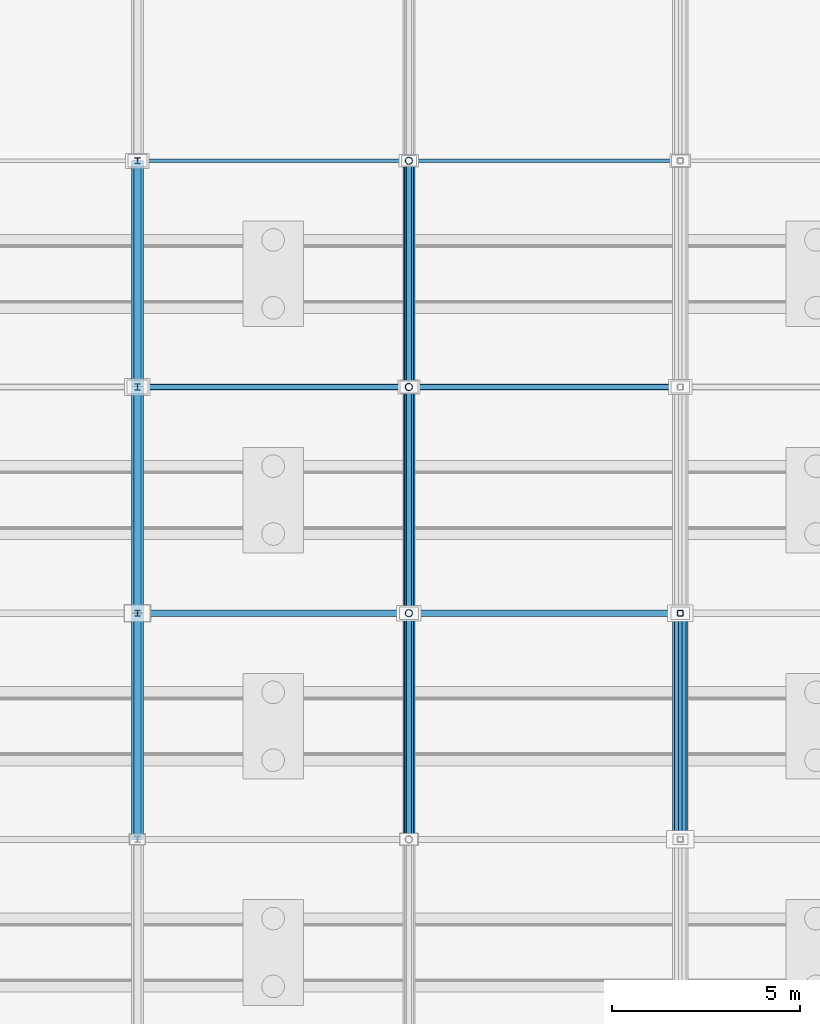
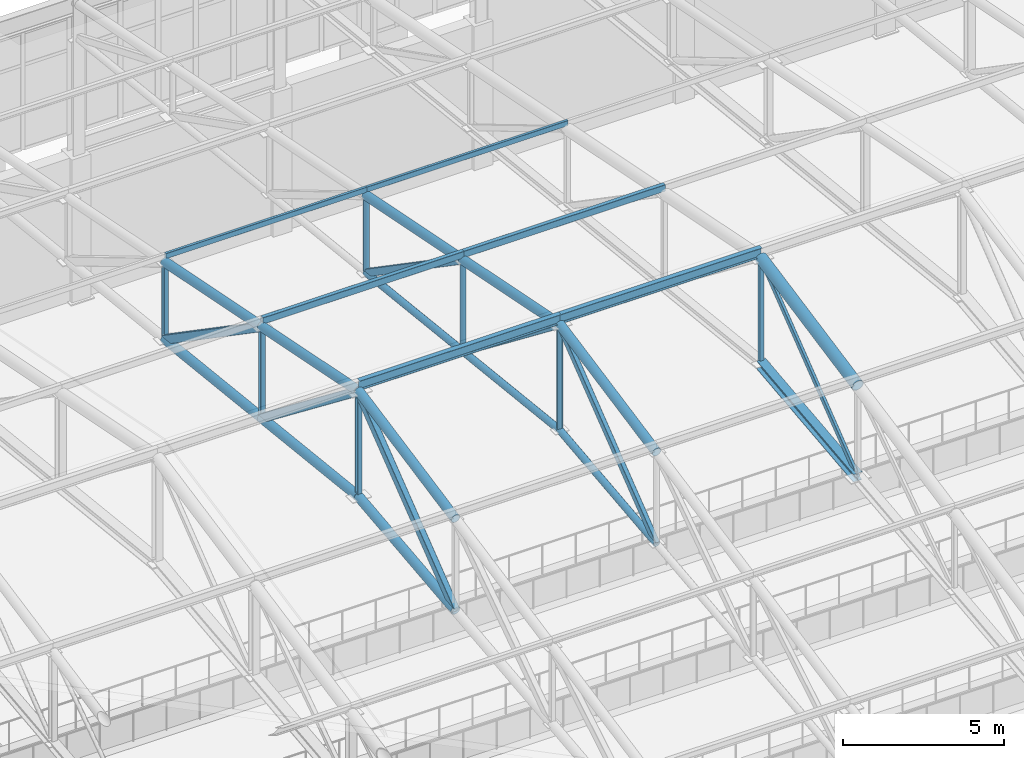
# One storey, part 142 of 293: 34 members.
"""IFC4 building model written with IfcOpenShell, lengths in metres."""

from ifc_helpers import new_model, si_unit, direction, frame, origin, origin_2d, place, context, subcontext, project, spatial, hollow_rectangle, hollow_circle, i_section, extrude, material, material_profile, profile_set, type_object, element, save


model = new_model("IFC4")

# Units and contexts
model_context = context("Model", 3, precision=1e-05, world=origin(), true_north=direction((0.0, 1.0)))
body_context = subcontext(model_context, "Body", "Model", "MODEL_VIEW")
ifc_project = project(units=[si_unit("LENGTHUNIT", "METRE"), si_unit("AREAUNIT", "SQUARE_METRE"), si_unit("VOLUMEUNIT", "CUBIC_METRE"), si_unit("PLANEANGLEUNIT", "RADIAN"), si_unit("MASSUNIT", "GRAM", prefix="KILO")], contexts=[model_context])

# Site, building, storey
site_placement = place(None, origin())
site = spatial("IfcSite", under=ifc_project, at=site_placement, CompositionType="ELEMENT")
building_placement = place(site_placement, origin())
building = spatial("IfcBuilding", under=site, at=building_placement, Name="Kemerveld Promenade Tramway Depot", CompositionType="ELEMENT")
storey_placement = place(building_placement, origin())
storey = spatial("IfcBuildingStorey", under=building, at=storey_placement, Name="L00", CompositionType="ELEMENT", Elevation=0.0)

# Members
ifc_material = material(Name="Steel S355", Category="steel")
ifc_material_profile_1 = material_profile(ifc_material, hollow_rectangle(XDim=0.199951171875, YDim=0.300048828125, WallThickness=0.012451171875, InnerFilletRadius=0.00634765625, OuterFilletRadius=0.018798828125, at=origin_2d()), Name="300x200x12.5 RHS")
ifc_profile_set_1 = profile_set([ifc_material_profile_1], Name="Steel S355")
member_type_1 = type_object("IfcMemberType", Name="MB-M01", PredefinedType="BRACE", material=ifc_profile_set_1)
for number, where, z_axis, x_axis, name in (
    (1, (64.800048828125, 108.0, 12.43994140625), (0.0, 0.789767329101, 0.613406525793), (-1.0, 0.0, 0.0), "TR-10-DG-05"),
    (2, (64.800048828125, 120.0, 12.43994140625), (0.0, -0.789767329101, 0.613406525793), (1.0, 0.0, 0.0), "TR-10-DG-06"),
):
    element("IfcMember", number, at=place(storey_placement, frame(where, z_axis=z_axis, x_axis=x_axis)), inside=storey, type_object=member_type_1, Name=name, PredefinedType="BRACE", context=body_context, shape_type="SweptSolid", body=[
        extrude(hollow_rectangle(XDim=0.199951171875, YDim=0.300048828125, WallThickness=0.012451171875, InnerFilletRadius=0.00634765625, OuterFilletRadius=0.018798828125, at=origin_2d()), origin(), (0.0, 0.0, 1.0), 7.59716796875),
    ])
member_1_placement = place(storey_placement, frame((64.800048828125, 126.0, 11.780029296875), z_axis=(0.0, -0.824370638462, 0.566050395673), x_axis=(1.0, 0.0, 0.0)))
element("IfcMember", 3, at=member_1_placement, inside=storey, type_object=member_type_1, Name="TR-10-DG-07", PredefinedType="BRACE", context=body_context, shape_type="SweptSolid", body=[
    extrude(hollow_rectangle(XDim=0.199951171875, YDim=0.300048828125, WallThickness=0.012451171875, InnerFilletRadius=0.00634765625, OuterFilletRadius=0.018798828125, at=origin_2d()), origin(), (0.0, 0.0, 1.0), 7.2783203125),
])
ifc_material_profile_2 = material_profile(ifc_material, hollow_rectangle(XDim=0.14990234375, YDim=0.25, WallThickness=0.010009765625, InnerFilletRadius=0.0048828125, OuterFilletRadius=0.014892578125, at=origin_2d()), Name="250x150x10.0 RHS")
ifc_profile_set_2 = profile_set([ifc_material_profile_2], Name="Steel S355")
member_type_2 = type_object("IfcMemberType", Name="MB-M02", PredefinedType="BRACE", material=ifc_profile_set_2)
for number, where, z_axis, x_axis, name in (
    (4, (72.0, 108.0, 12.43994140625), (0.0, 0.789767329101, 0.613406525793), (-1.0, 0.0, 0.0), "TR-11-DG-05"),
    (5, (72.0, 120.0, 12.43994140625), (0.0, -0.789767329101, 0.613406525793), (1.0, 0.0, 0.0), "TR-11-DG-06"),
):
    element("IfcMember", number, at=place(storey_placement, frame(where, z_axis=z_axis, x_axis=x_axis)), inside=storey, type_object=member_type_2, Name=name, PredefinedType="BRACE", context=body_context, shape_type="SweptSolid", body=[
        extrude(hollow_rectangle(XDim=0.14990234375, YDim=0.25, WallThickness=0.010009765625, InnerFilletRadius=0.0048828125, OuterFilletRadius=0.014892578125, at=origin_2d()), origin(), (0.0, 0.0, 1.0), 7.59716796875),
    ])
member_2_placement = place(storey_placement, frame((72.0, 126.0, 11.780029296875), z_axis=(0.0, -0.824370638462, 0.566050395673), x_axis=(1.0, 0.0, 0.0)))
element("IfcMember", 6, at=member_2_placement, inside=storey, type_object=member_type_2, Name="TR-11-DG-07", PredefinedType="BRACE", context=body_context, shape_type="SweptSolid", body=[
    extrude(hollow_rectangle(XDim=0.14990234375, YDim=0.25, WallThickness=0.010009765625, InnerFilletRadius=0.0048828125, OuterFilletRadius=0.014892578125, at=origin_2d()), origin(), (0.0, 0.0, 1.0), 7.2783203125),
])
ifc_material_profile_3 = material_profile(ifc_material, hollow_rectangle(XDim=0.10009765625, YDim=0.199951171875, WallThickness=0.008056640625, InnerFilletRadius=0.00390625, OuterFilletRadius=0.011962890625, at=origin_2d()), Name="200x100x8.0 RHS")
ifc_profile_set_3 = profile_set([ifc_material_profile_3], Name="Steel S355")
member_type_3 = type_object("IfcMemberType", Name="MB-M03", PredefinedType="BRACE", material=ifc_profile_set_3)
member_3_placement = place(storey_placement, frame((79.199951171875, 108.0, 12.43994140625), z_axis=(0.0, 0.789767329101, 0.613406525793), x_axis=(-1.0, 0.0, 0.0)))
element("IfcMember", 7, at=member_3_placement, inside=storey, type_object=member_type_3, Name="TR-12-DG-05", PredefinedType="BRACE", context=body_context, shape_type="SweptSolid", body=[
    extrude(hollow_rectangle(XDim=0.10009765625, YDim=0.199951171875, WallThickness=0.008056640625, InnerFilletRadius=0.00390625, OuterFilletRadius=0.011962890625, at=origin_2d()), origin(), (0.0, 0.0, 1.0), 7.59716796875),
])
ifc_material_profile_4 = material_profile(ifc_material, i_section(OverallWidth=0.154296875, OverallDepth=0.161865234375, WebThickness=0.008056640625, FlangeThickness=0.011474609375, FilletRadius=0.007568359375, at=origin_2d()), Name="152x152x37 UC")
ifc_profile_set_4 = profile_set([ifc_material_profile_4], Name="Steel S355")
member_type_4 = type_object("IfcMemberType", Name="MB-M05", PredefinedType="POST", material=ifc_profile_set_4)
member_4_placement = place(storey_placement, frame((64.800048828125, 114.0, 13.10009765625), z_axis=(0.0, 0.0, 1.0), x_axis=(1.0, 0.0, 0.0)))
element("IfcMember", 8, at=member_4_placement, inside=storey, type_object=member_type_4, Name="TR-10-VT-05", PredefinedType="POST", context=body_context, shape_type="SweptSolid", body=[
    extrude(i_section(OverallWidth=0.154296875, OverallDepth=0.161865234375, WebThickness=0.008056640625, FlangeThickness=0.011474609375, FilletRadius=0.007568359375, at=origin_2d()), origin(), (0.0, 0.0, 1.0), 4.0),
])
member_5_placement = place(storey_placement, frame((64.800048828125, 120.0, 12.43994140625), z_axis=(0.0, 0.0, 1.0), x_axis=(1.0, 0.0, 0.0)))
element("IfcMember", 9, at=member_5_placement, inside=storey, type_object=member_type_4, Name="TR-10-VT-06", PredefinedType="POST", context=body_context, shape_type="SweptSolid", body=[
    extrude(i_section(OverallWidth=0.154296875, OverallDepth=0.161865234375, WebThickness=0.008056640625, FlangeThickness=0.011474609375, FilletRadius=0.007568359375, at=origin_2d()), origin(), (0.0, 0.0, 1.0), 3.4599609375),
])
member_6_placement = place(storey_placement, frame((64.800048828125, 126.0, 11.780029296875), z_axis=(0.0, 0.0, 1.0), x_axis=(1.0, 0.0, 0.0)))
element("IfcMember", 10, at=member_6_placement, inside=storey, type_object=member_type_4, Name="TR-10-VT-07", PredefinedType="POST", context=body_context, shape_type="SweptSolid", body=[
    extrude(i_section(OverallWidth=0.154296875, OverallDepth=0.161865234375, WebThickness=0.008056640625, FlangeThickness=0.011474609375, FilletRadius=0.007568359375, at=origin_2d()), origin(), (0.0, 0.0, 1.0), 2.919921875),
])
ifc_material_profile_5 = material_profile(ifc_material, i_section(OverallWidth=0.172119140625, OverallDepth=0.35791015625, WebThickness=0.008056640625, FlangeThickness=0.012939453125, FilletRadius=0.01025390625, at=origin_2d()), Name="356x171x57 UB")
ifc_profile_set_5 = profile_set([ifc_material_profile_5], Name="Steel S355")
member_type_5 = type_object("IfcMemberType", Name="MB-M07", PredefinedType="PURLIN", material=ifc_profile_set_5)
for number, where, z_axis, x_axis, name in (
    (11, (64.800048828125, 114.0, 17.344970703125), (1.0, 0.0, 0.0), (0.0, 1.0, 0.0), "PUR-V1-05-10"),
    (12, (72.0, 114.0, 17.344970703125), (1.0, 0.0, 0.0), (0.0, 1.0, 0.0), "PUR-V1-05-11"),
):
    element("IfcMember", number, at=place(storey_placement, frame(where, z_axis=z_axis, x_axis=x_axis)), inside=storey, type_object=member_type_5, Name=name, PredefinedType="PURLIN", context=body_context, shape_type="SweptSolid", body=[
        extrude(i_section(OverallWidth=0.172119140625, OverallDepth=0.35791015625, WebThickness=0.008056640625, FlangeThickness=0.012939453125, FilletRadius=0.01025390625, at=origin_2d()), origin(), (0.0, 0.0, 1.0), 7.199951171875),
    ])
ifc_material_profile_6 = material_profile(ifc_material, hollow_rectangle(XDim=0.14990234375, YDim=0.25, WallThickness=0.010009765625, InnerFilletRadius=0.0048828125, OuterFilletRadius=0.014892578125, at=origin_2d()), Name="250x150x10.0 RHS")
ifc_profile_set_6 = profile_set([ifc_material_profile_6], Name="Steel S355")
member_type_6 = type_object("IfcMemberType", Name="MB-PR1", PredefinedType="PURLIN", material=ifc_profile_set_6)
for number, where, z_axis, x_axis, name in (
    (13, (64.800048828125, 120.0, 16.14501953125), (1.0, 0.0, 0.0), (0.0, 1.0, 0.0), "PUR-V1-06-10"),
    (14, (72.0, 120.0, 16.14501953125), (1.0, 0.0, 0.0), (0.0, 1.0, 0.0), "PUR-V1-06-11"),
):
    element("IfcMember", number, at=place(storey_placement, frame(where, z_axis=z_axis, x_axis=x_axis)), inside=storey, type_object=member_type_6, Name=name, PredefinedType="PURLIN", context=body_context, shape_type="SweptSolid", body=[
        extrude(hollow_rectangle(XDim=0.14990234375, YDim=0.25, WallThickness=0.010009765625, InnerFilletRadius=0.0048828125, OuterFilletRadius=0.014892578125, at=origin_2d()), origin(), (0.0, 0.0, 1.0), 7.199951171875),
    ])
ifc_material_profile_7 = material_profile(ifc_material, hollow_rectangle(XDim=0.10009765625, YDim=0.199951171875, WallThickness=0.008056640625, InnerFilletRadius=0.00390625, OuterFilletRadius=0.011962890625, at=origin_2d()), Name="200x100x8.0 RHS")
ifc_profile_set_7 = profile_set([ifc_material_profile_7], Name="Steel S355")
member_type_7 = type_object("IfcMemberType", Name="MB-PR2", PredefinedType="PURLIN", material=ifc_profile_set_7)
for number, where, z_axis, x_axis, name in (
    (15, (64.800048828125, 126.0, 14.945068359375), (1.0, 0.0, 0.0), (0.0, 1.0, 0.0), "PUR-V1-07-10"),
    (16, (72.0, 126.0, 14.945068359375), (1.0, 0.0, 0.0), (0.0, 1.0, 0.0), "PUR-V1-07-11"),
):
    element("IfcMember", number, at=place(storey_placement, frame(where, z_axis=z_axis, x_axis=x_axis)), inside=storey, type_object=member_type_7, Name=name, PredefinedType="PURLIN", context=body_context, shape_type="SweptSolid", body=[
        extrude(hollow_rectangle(XDim=0.10009765625, YDim=0.199951171875, WallThickness=0.008056640625, InnerFilletRadius=0.00390625, OuterFilletRadius=0.011962890625, at=origin_2d()), origin(), (0.0, 0.0, 1.0), 7.199951171875),
    ])
ifc_material_profile_8 = material_profile(ifc_material, hollow_circle(Radius=0.203125, WallThickness=0.01611328125, at=origin_2d()), Name="406.4x16.0 CHS")
ifc_profile_set_8 = profile_set([ifc_material_profile_8], Name="Steel S355")
member_type_8 = type_object("IfcMemberType", Name="MB-TC1", PredefinedType="CHORD", material=ifc_profile_set_8)
member_7_placement = place(storey_placement, frame((79.199951171875, 108.0, 15.89990234375), z_axis=(0.0, 0.980574536798, 0.196146827104), x_axis=(-1.0, 0.0, 0.0)))
element("IfcMember", 17, at=member_7_placement, inside=storey, type_object=member_type_8, Name="TR-12-TC-05", PredefinedType="CHORD", context=body_context, shape_type="SweptSolid", body=[
    extrude(hollow_circle(Radius=0.203125, WallThickness=0.01611328125, at=origin_2d()), origin(), (0.0, 0.0, 1.0), 6.118896484375),
])
ifc_material_profile_9 = material_profile(ifc_material, hollow_circle(Radius=0.161865234375, WallThickness=0.012451171875, at=origin_2d()), Name="323.9x12.5 CHS")
ifc_profile_set_9 = profile_set([ifc_material_profile_9], Name="Steel S355")
member_type_9 = type_object("IfcMemberType", Name="MB-TC2", PredefinedType="CHORD", material=ifc_profile_set_9)
member_8_placement = place(storey_placement, frame((64.800048828125, 108.0, 15.89990234375), z_axis=(0.0, 0.980574536798, 0.196146827104), x_axis=(-1.0, 0.0, 0.0)))
element("IfcMember", 18, at=member_8_placement, inside=storey, type_object=member_type_9, Name="TR-10-TC-05", PredefinedType="CHORD", context=body_context, shape_type="SweptSolid", body=[
    extrude(hollow_circle(Radius=0.161865234375, WallThickness=0.012451171875, at=origin_2d()), origin(), (0.0, 0.0, 1.0), 6.118896484375),
])
member_9_placement = place(storey_placement, frame((64.800048828125, 108.0, 12.43994140625), z_axis=(0.0, 0.994001542248, 0.109366055104), x_axis=(-1.0, 0.0, 0.0)))
element("IfcMember", 19, at=member_9_placement, inside=storey, type_object=member_type_9, Name="TR-10-BC-05", PredefinedType="CHORD", context=body_context, shape_type="SweptSolid", body=[
    extrude(hollow_circle(Radius=0.161865234375, WallThickness=0.012451171875, at=origin_2d()), origin(), (0.0, 0.0, 1.0), 6.0361328125),
])
member_10_placement = place(storey_placement, frame((64.800048828125, 114.0, 17.10009765625), z_axis=(0.0, 0.980574536798, -0.196146827104), x_axis=(-1.0, 0.0, 0.0)))
element("IfcMember", 20, at=member_10_placement, inside=storey, type_object=member_type_9, Name="TR-10-TC-06", PredefinedType="CHORD", context=body_context, shape_type="SweptSolid", body=[
    extrude(hollow_circle(Radius=0.161865234375, WallThickness=0.012451171875, at=origin_2d()), origin(), (0.0, 0.0, 1.0), 6.118896484375),
])
member_11_placement = place(storey_placement, frame((64.800048828125, 114.0, 13.10009765625), z_axis=(0.0, 0.994001542248, -0.109366055104), x_axis=(-1.0, 0.0, 0.0)))
element("IfcMember", 21, at=member_11_placement, inside=storey, type_object=member_type_9, Name="TR-10-BC-06", PredefinedType="CHORD", context=body_context, shape_type="SweptSolid", body=[
    extrude(hollow_circle(Radius=0.161865234375, WallThickness=0.012451171875, at=origin_2d()), origin(), (0.0, 0.0, 1.0), 6.0361328125),
])
member_12_placement = place(storey_placement, frame((64.800048828125, 120.0, 15.89990234375), z_axis=(0.0, 0.980582210276, -0.196108462057), x_axis=(-1.0, 0.0, 0.0)))
element("IfcMember", 22, at=member_12_placement, inside=storey, type_object=member_type_9, Name="TR-10-TC-07", PredefinedType="CHORD", context=body_context, shape_type="SweptSolid", body=[
    extrude(hollow_circle(Radius=0.161865234375, WallThickness=0.012451171875, at=origin_2d()), origin(), (0.0, 0.0, 1.0), 6.118896484375),
])
member_13_placement = place(storey_placement, frame((64.800048828125, 120.0, 12.43994140625), z_axis=(0.0, 0.994005938353, -0.109326092585), x_axis=(-1.0, 0.0, 0.0)))
element("IfcMember", 23, at=member_13_placement, inside=storey, type_object=member_type_9, Name="TR-10-BC-07", PredefinedType="CHORD", context=body_context, shape_type="SweptSolid", body=[
    extrude(hollow_circle(Radius=0.161865234375, WallThickness=0.012451171875, at=origin_2d()), origin(), (0.0, 0.0, 1.0), 6.0361328125),
])
for number, where, z_axis, x_axis, name in (
    (24, (72.0, 108.0, 15.89990234375), (0.0, 0.980574536798, 0.196146827104), (-1.0, 0.0, 0.0), "TR-11-TC-05"),
    (25, (72.0, 114.0, 17.10009765625), (0.0, 0.980574536798, -0.196146827104), (-1.0, 0.0, 0.0), "TR-11-TC-06"),
    (26, (72.0, 120.0, 15.89990234375), (0.0, 0.980582210276, -0.196108462057), (-1.0, 0.0, 0.0), "TR-11-TC-07"),
):
    element("IfcMember", number, at=place(storey_placement, frame(where, z_axis=z_axis, x_axis=x_axis)), inside=storey, type_object=member_type_9, Name=name, PredefinedType="CHORD", context=body_context, shape_type="SweptSolid", body=[
        extrude(hollow_circle(Radius=0.161865234375, WallThickness=0.012451171875, at=origin_2d()), origin(), (0.0, 0.0, 1.0), 6.118896484375),
    ])
ifc_material_profile_10 = material_profile(ifc_material, hollow_circle(Radius=0.122314453125, WallThickness=0.010009765625, at=origin_2d()), Name="244.5x10.0 CHS")
ifc_profile_set_10 = profile_set([ifc_material_profile_10], Name="Steel S355")
member_type_10 = type_object("IfcMemberType", Name="MB-TC3", PredefinedType="CHORD", material=ifc_profile_set_10)
for number, where, z_axis, x_axis, name in (
    (27, (72.0, 108.0, 12.43994140625), (0.0, 0.994001542248, 0.109366055104), (-1.0, 0.0, 0.0), "TR-11-BC-05"),
    (28, (72.0, 114.0, 13.10009765625), (0.0, 0.994001542248, -0.109366055104), (-1.0, 0.0, 0.0), "TR-11-BC-06"),
    (29, (72.0, 120.0, 12.43994140625), (0.0, 0.994005938353, -0.109326092585), (-1.0, 0.0, 0.0), "TR-11-BC-07"),
):
    element("IfcMember", number, at=place(storey_placement, frame(where, z_axis=z_axis, x_axis=x_axis)), inside=storey, type_object=member_type_10, Name=name, PredefinedType="CHORD", context=body_context, shape_type="SweptSolid", body=[
        extrude(hollow_circle(Radius=0.122314453125, WallThickness=0.010009765625, at=origin_2d()), origin(), (0.0, 0.0, 1.0), 6.0361328125),
    ])
ifc_material_profile_11 = material_profile(ifc_material, i_section(OverallWidth=0.307373046875, OverallDepth=0.314453125, WebThickness=0.011962890625, FlangeThickness=0.018798828125, FilletRadius=0.01513671875, at=origin_2d()), Name="305x305x118 UC")
ifc_profile_set_11 = profile_set([ifc_material_profile_11], Name="Steel S355")
member_type_11 = type_object("IfcMemberType", Name="MB-TC4", PredefinedType="CHORD", material=ifc_profile_set_11)
member_14_placement = place(storey_placement, frame((79.199951171875, 108.0, 12.43994140625), z_axis=(0.0, 0.994001542248, 0.109366055104), x_axis=(-1.0, 0.0, 0.0)))
element("IfcMember", 30, at=member_14_placement, inside=storey, type_object=member_type_11, Name="TR-12-BC-05", PredefinedType="CHORD", context=body_context, shape_type="SweptSolid", body=[
    extrude(i_section(OverallWidth=0.307373046875, OverallDepth=0.314453125, WebThickness=0.011962890625, FlangeThickness=0.018798828125, FilletRadius=0.01513671875, at=origin_2d()), origin(), (0.0, 0.0, 1.0), 6.0361328125),
])
ifc_material_profile_12 = material_profile(ifc_material, hollow_circle(Radius=0.096923828125, WallThickness=0.008056640625, at=origin_2d()), Name="193.7x8.0 CHS")
ifc_profile_set_12 = profile_set([ifc_material_profile_12], Name="Steel S355")
member_type_12 = type_object("IfcMemberType", Name="MB-TP1", PredefinedType="POST", material=ifc_profile_set_12)
member_15_placement = place(storey_placement, frame((72.0, 114.0, 13.10009765625), z_axis=(0.0, 0.0, 1.0), x_axis=(1.0, 0.0, 0.0)))
element("IfcMember", 31, at=member_15_placement, inside=storey, type_object=member_type_12, Name="TR-11-VT-05", PredefinedType="POST", context=body_context, shape_type="SweptSolid", body=[
    extrude(hollow_circle(Radius=0.096923828125, WallThickness=0.008056640625, at=origin_2d()), origin(), (0.0, 0.0, 1.0), 4.0),
])
member_16_placement = place(storey_placement, frame((72.0, 120.0, 12.43994140625), z_axis=(0.0, 0.0, 1.0), x_axis=(1.0, 0.0, 0.0)))
element("IfcMember", 32, at=member_16_placement, inside=storey, type_object=member_type_12, Name="TR-11-VT-06", PredefinedType="POST", context=body_context, shape_type="SweptSolid", body=[
    extrude(hollow_circle(Radius=0.096923828125, WallThickness=0.008056640625, at=origin_2d()), origin(), (0.0, 0.0, 1.0), 3.4599609375),
])
member_17_placement = place(storey_placement, frame((72.0, 126.0, 11.780029296875), z_axis=(0.0, 0.0, 1.0), x_axis=(1.0, 0.0, 0.0)))
element("IfcMember", 33, at=member_17_placement, inside=storey, type_object=member_type_12, Name="TR-11-VT-07", PredefinedType="POST", context=body_context, shape_type="SweptSolid", body=[
    extrude(hollow_circle(Radius=0.096923828125, WallThickness=0.008056640625, at=origin_2d()), origin(), (0.0, 0.0, 1.0), 2.919921875),
])
ifc_material_profile_13 = material_profile(ifc_material, hollow_rectangle(XDim=0.14990234375, YDim=0.14990234375, WallThickness=0.008056640625, InnerFilletRadius=0.00390625, OuterFilletRadius=0.011962890625, at=origin_2d()), Name="150x150x8.0 SHS")
ifc_profile_set_13 = profile_set([ifc_material_profile_13], Name="Steel S355")
member_type_13 = type_object("IfcMemberType", Name="MB-TP2", PredefinedType="POST", material=ifc_profile_set_13)
member_18_placement = place(storey_placement, frame((79.199951171875, 114.0, 13.10009765625), z_axis=(0.0, 0.0, 1.0), x_axis=(1.0, 0.0, 0.0)))
element("IfcMember", 34, at=member_18_placement, inside=storey, type_object=member_type_13, Name="TR-12-VT-05", PredefinedType="POST", context=body_context, shape_type="SweptSolid", body=[
    extrude(hollow_rectangle(XDim=0.14990234375, YDim=0.14990234375, WallThickness=0.008056640625, InnerFilletRadius=0.00390625, OuterFilletRadius=0.011962890625, at=origin_2d()), origin(), (0.0, 0.0, 1.0), 4.0),
])

save(model, "model.ifc")
